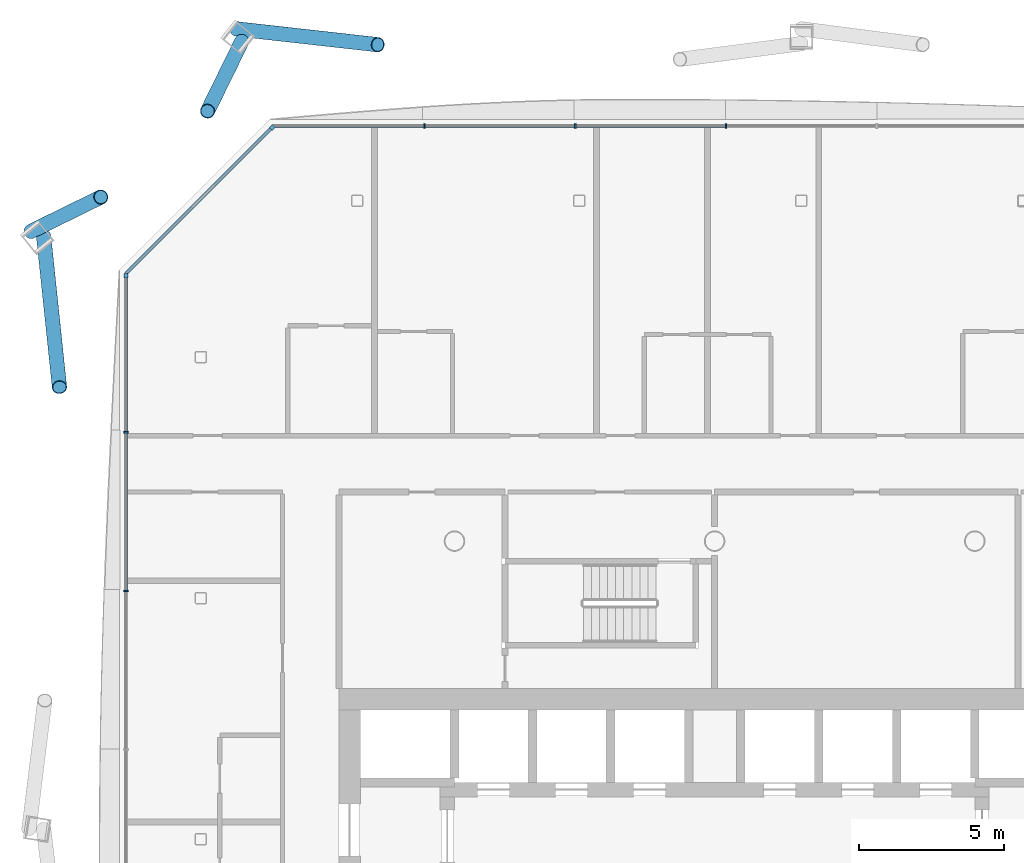
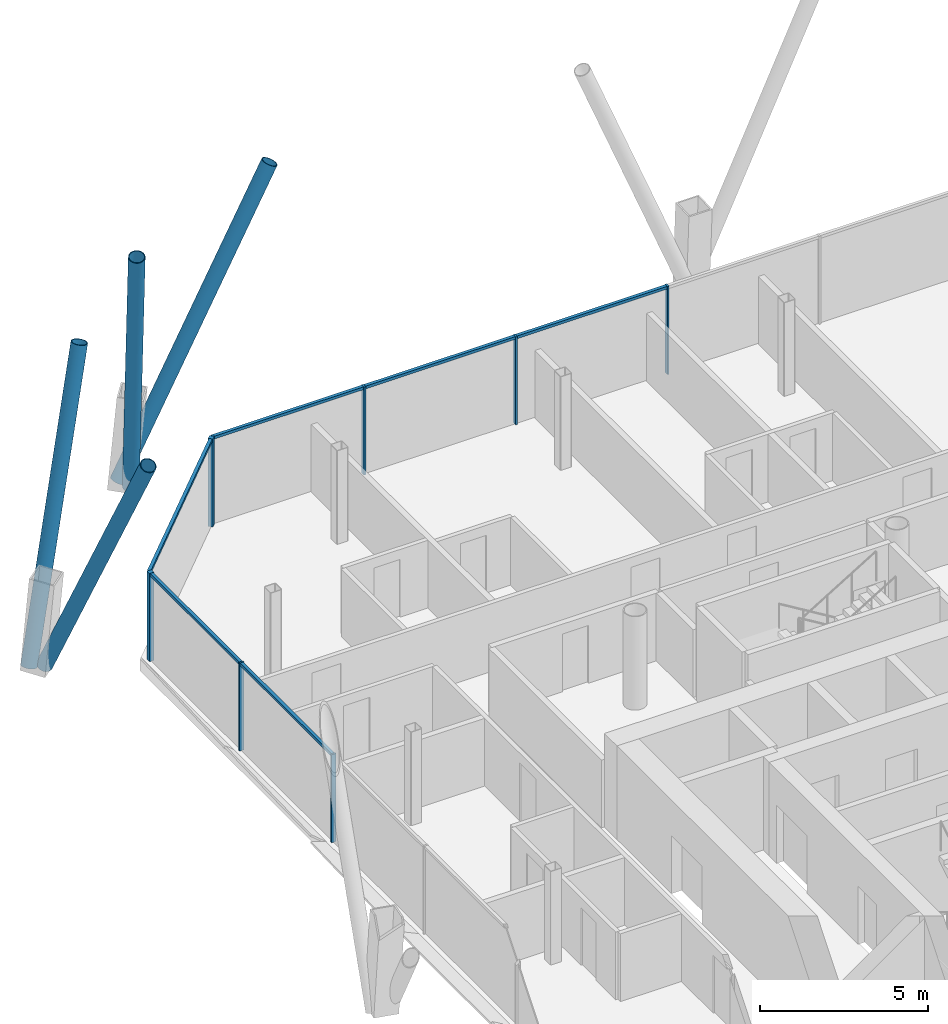
# One storey, part 9 of 22: 17 members, 3 elements without a shape of their own.
"""IFC4 building model written with IfcOpenShell, lengths in metres."""

from ifc_helpers import new_model, si_unit, direction, frame, origin, origin_2d, place, context, subcontext, project, spatial, rectangle, hollow_circle, extrude, material, material_profile, profile_set, type_object, element, aggregate, save


model = new_model("IFC4")

# Units and contexts
model_context = context("Model", 3, precision=1e-05, world=origin(), true_north=direction((0.0, 1.0)))
body_context = subcontext(model_context, "Body", "Model", "MODEL_VIEW")
ifc_project = project(units=[si_unit("LENGTHUNIT", "METRE"), si_unit("AREAUNIT", "SQUARE_METRE"), si_unit("VOLUMEUNIT", "CUBIC_METRE"), si_unit("PLANEANGLEUNIT", "RADIAN"), si_unit("MASSUNIT", "GRAM", prefix="KILO")], contexts=[model_context])

# Site, building, storey
site_placement = place(None, origin())
site = spatial("IfcSite", under=ifc_project, at=site_placement, CompositionType="ELEMENT")
building_placement = place(site_placement, origin())
building = spatial("IfcBuilding", under=site, at=building_placement, Name="Tskaro Facet Tower", CompositionType="ELEMENT")
storey_placement = place(building_placement, frame((0.0, 0.0, 121.5)))
storey = spatial("IfcBuildingStorey", under=building, at=storey_placement, Name="L28", CompositionType="ELEMENT", Elevation=121.5)

# Members
ifc_material_1 = material(Name="Steel S355J2H", Category="steel")
ifc_material_profile_1 = material_profile(ifc_material_1, hollow_circle(Radius=0.25390625, WallThickness=0.02490234375, at=origin_2d()), Name="CHS 508x25")
ifc_profile_set_1 = profile_set([ifc_material_profile_1], Name="Steel S355J2H")
member_type_1 = type_object("IfcMemberType", Name="CHS 508x25 brace", PredefinedType="BRACE", material=ifc_profile_set_1)
member_1_placement = place(storey_placement, frame((-16.5380859375, 26.720947265625, 0.0), z_axis=(0.431402212633, -0.048364830456, 0.900862350257), x_axis=(0.111412783806, 0.993774215607, 0.0)))
element("IfcMember", 1, at=member_1_placement, inside=storey, type_object=member_type_1, Name="CHS 508x25 XB08B/3", PredefinedType="BRACE", context=body_context, shape_type="SweptSolid", body=[
    extrude(hollow_circle(Radius=0.25390625, WallThickness=0.02490234375, at=origin_2d()), origin(), (0.0, 0.0, 1.0), 11.322509765625),
])
for number, where, z_axis, x_axis, name in (
    (2, (-16.3583984375, 26.287353515625, 0.0), (-0.11230334021, -0.228657192484, 0.967007677375), (0.897584602758, -0.440842240367, 0.0), "CHS 508x25 XB09A/3"),
    (3, (-23.646484375, 19.717529296875, 0.0), (0.228657192484, 0.11230334021, 0.967007677375), (-0.440842240367, 0.897584602758, 0.0), "CHS 508x25 XB09B/3"),
):
    element("IfcMember", number, at=place(storey_placement, frame(where, z_axis=z_axis, x_axis=x_axis)), inside=storey, type_object=member_type_1, Name=name, PredefinedType="BRACE", context=body_context, shape_type="SweptSolid", body=[
        extrude(hollow_circle(Radius=0.25390625, WallThickness=0.02490234375, at=origin_2d()), origin(), (0.0, 0.0, 1.0), 10.5478515625),
    ])
member_2_placement = place(storey_placement, frame((-23.212890625, 19.5380859375, 0.0), z_axis=(0.047749870563, -0.454613680727, 0.889407865469), x_axis=(0.994529159567, 0.104459325915, 0.0)))
element("IfcMember", 4, at=member_2_placement, inside=storey, type_object=member_type_1, Name="CHS 508x25 XB10A/3", PredefinedType="BRACE", context=body_context, shape_type="SweptSolid", body=[
    extrude(hollow_circle(Radius=0.25390625, WallThickness=0.02490234375, at=origin_2d()), origin(), (0.0, 0.0, 1.0), 11.46826171875),
])

# Curtain wall, member
ifc_material_2 = material(Name="Bronze anodised aluminium 6063-T6", Category="aluminium")
curtain_wall_type = type_object("IfcCurtainWallType", Name="Bronze hotel curtain wall (FW2)", PredefinedType="NOTDEFINED", material=ifc_material_2)
curtain_wall_1_placement = place(storey_placement, origin())
curtain_wall_1 = element("IfcCurtainWall", 5, at=curtain_wall_1_placement, inside=storey, type_object=curtain_wall_type, Name="FW2 north-west facet L28", PredefinedType="NOTDEFINED")
ifc_material_profile_2 = material_profile(ifc_material_2, rectangle(XDim=0.14990234375, YDim=0.14990234375, at=origin_2d()), Name="Corner post 150x150")
ifc_profile_set_2 = profile_set([ifc_material_profile_2], Name="Bronze anodised aluminium 6063-T6")
member_type_2 = type_object("IfcMemberType", Name="FW2 bronze corner post 150x150", PredefinedType="MULLION", material=ifc_profile_set_2)
member_3_placement = place(storey_placement, frame((-15.30615234375, 23.31396484375, 0.0), z_axis=(0.0, 0.0, 1.0), x_axis=(-0.707106781187, -0.707106781187, 0.0)))
member_3 = element("IfcMember", 6, at=member_3_placement, type_object=member_type_2, Name="FW2 north-west corner post", PredefinedType="MULLION", context=body_context, shape_type="SweptSolid", body=[
    extrude(rectangle(XDim=0.14990234375, YDim=0.14990234375, at=origin_2d()), origin(), (0.0, 0.0, 1.0), 3.199951171875),
])

curtain_wall_2_placement = place(storey_placement, origin())
curtain_wall_2 = element("IfcCurtainWall", 7, at=curtain_wall_2_placement, inside=storey, type_object=curtain_wall_type, Name="FW2 west facet L28", PredefinedType="NOTDEFINED")
member_4_placement = place(storey_placement, frame((-20.366943359375, 18.177978515625, 0.0), z_axis=(0.0, 0.0, 1.0), x_axis=(0.0, -1.0, 0.0)))
member_4 = element("IfcMember", 8, at=member_4_placement, type_object=member_type_2, Name="FW2 west corner post", PredefinedType="MULLION", context=body_context, shape_type="SweptSolid", body=[
    extrude(rectangle(XDim=0.14990234375, YDim=0.14990234375, at=origin_2d()), origin(), (0.0, 0.0, 1.0), 3.199951171875),
])

# Curtain wall, members
curtain_wall_3_placement = place(storey_placement, origin())
curtain_wall_3 = element("IfcCurtainWall", 9, at=curtain_wall_3_placement, inside=storey, type_object=curtain_wall_type, Name="FW2 north facet L28", PredefinedType="NOTDEFINED")
ifc_material_profile_3 = material_profile(ifc_material_2, rectangle(XDim=0.06005859375, YDim=0.14990234375, at=origin_2d()), Name="Mullion 60x150")
ifc_profile_set_3 = profile_set([ifc_material_profile_3], Name="Bronze anodised aluminium 6063-T6")
member_type_3 = type_object("IfcMemberType", Name="FW2 bronze mullion 60x150", PredefinedType="MULLION", material=ifc_profile_set_3)
member_5_placement = place(storey_placement, frame((0.392333984375, 23.366943359375, 0.0), z_axis=(0.0, 0.0, 1.0), x_axis=(-1.0, 0.0, 0.0)))
member_5 = element("IfcMember", 10, at=member_5_placement, type_object=member_type_3, Name="FW2 north mullion 4", PredefinedType="MULLION", context=body_context, shape_type="SweptSolid", body=[
    extrude(rectangle(XDim=0.06005859375, YDim=0.14990234375, at=origin_2d()), origin(), (0.0, 0.0, 1.0), 3.199951171875),
])
member_6_placement = place(storey_placement, frame((-4.82275390625, 23.366943359375, 0.0), z_axis=(0.0, 0.0, 1.0), x_axis=(-1.0, 0.0, 0.0)))
member_6 = element("IfcMember", 11, at=member_6_placement, type_object=member_type_3, Name="FW2 north mullion 5", PredefinedType="MULLION", context=body_context, shape_type="SweptSolid", body=[
    extrude(rectangle(XDim=0.06005859375, YDim=0.14990234375, at=origin_2d()), origin(), (0.0, 0.0, 1.0), 3.199951171875),
])
member_7_placement = place(storey_placement, frame((-10.037841796875, 23.366943359375, 0.0), z_axis=(0.0, 0.0, 1.0), x_axis=(-1.0, 0.0, 0.0)))
member_7 = element("IfcMember", 12, at=member_7_placement, type_object=member_type_3, Name="FW2 north mullion 6", PredefinedType="MULLION", context=body_context, shape_type="SweptSolid", body=[
    extrude(rectangle(XDim=0.06005859375, YDim=0.14990234375, at=origin_2d()), origin(), (0.0, 0.0, 1.0), 3.199951171875),
])

# Member
member_8_placement = place(storey_placement, frame((-20.366943359375, 12.7646484375, 0.0), z_axis=(0.0, 0.0, 1.0), x_axis=(0.0, -1.0, 0.0)))
member_8 = element("IfcMember", 13, at=member_8_placement, type_object=member_type_3, Name="FW2 west mullion 1", PredefinedType="MULLION", context=body_context, shape_type="SweptSolid", body=[
    extrude(rectangle(XDim=0.06005859375, YDim=0.14990234375, at=origin_2d()), origin(), (0.0, 0.0, 1.0), 3.199951171875),
])

member_9_placement = place(storey_placement, frame((-20.366943359375, 7.276123046875, 0.0), z_axis=(0.0, 0.0, 1.0), x_axis=(0.0, -1.0, 0.0)))
member_9 = element("IfcMember", 14, at=member_9_placement, type_object=member_type_3, Name="FW2 west mullion 2", PredefinedType="MULLION", context=body_context, shape_type="SweptSolid", body=[
    extrude(rectangle(XDim=0.06005859375, YDim=0.14990234375, at=origin_2d()), origin(), (0.0, 0.0, 1.0), 3.199951171875),
])

ifc_material_profile_4 = material_profile(ifc_material_2, rectangle(XDim=0.110107421875, YDim=0.10009765625, at=origin_2d()), Name="Transom 110x100")
ifc_profile_set_4 = profile_set([ifc_material_profile_4], Name="Bronze anodised aluminium 6063-T6")
member_type_4 = type_object("IfcMemberType", Name="FW2 bronze transom 110x100", PredefinedType="USERDEFINED", material=ifc_profile_set_4)
member_10_placement = place(storey_placement, frame((0.362548828125, 23.366943359375, 3.14990234375), z_axis=(-1.0, 0.0, 0.0), x_axis=(0.0, -1.0, 0.0)))
member_10 = element("IfcMember", 15, at=member_10_placement, type_object=member_type_4, Name="FW2 north transom 5.1", ObjectType="TRANSOM", PredefinedType="USERDEFINED", context=body_context, shape_type="SweptSolid", body=[
    extrude(rectangle(XDim=0.110107421875, YDim=0.10009765625, at=origin_2d()), origin(), (0.0, 0.0, 1.0), 5.1552734375),
])

member_11_placement = place(storey_placement, frame((-4.852783203125, 23.366943359375, 3.14990234375), z_axis=(-1.0, 0.0, 0.0), x_axis=(0.0, -1.0, 0.0)))
member_11 = element("IfcMember", 16, at=member_11_placement, type_object=member_type_4, Name="FW2 north transom 6.1", ObjectType="TRANSOM", PredefinedType="USERDEFINED", context=body_context, shape_type="SweptSolid", body=[
    extrude(rectangle(XDim=0.110107421875, YDim=0.10009765625, at=origin_2d()), origin(), (0.0, 0.0, 1.0), 5.155029296875),
])

member_12_placement = place(storey_placement, frame((-10.06787109375, 23.366943359375, 3.14990234375), z_axis=(-1.0, 0.0, 0.0), x_axis=(0.0, -1.0, 0.0)))
member_12 = element("IfcMember", 17, at=member_12_placement, type_object=member_type_4, Name="FW2 north transom 7.1", ObjectType="TRANSOM", PredefinedType="USERDEFINED", context=body_context, shape_type="SweptSolid", body=[
    extrude(rectangle(XDim=0.110107421875, YDim=0.10009765625, at=origin_2d()), origin(), (0.0, 0.0, 1.0), 5.18505859375),
])

aggregate(curtain_wall_3, [member_5, member_6, member_7, member_10, member_11, member_12])

member_13_placement = place(storey_placement, frame((-15.359130859375, 23.260986328125, 3.14990234375), z_axis=(-0.707089544979, -0.707124016974, 0.0), x_axis=(0.707124016974, -0.707089544979, 0.0)))
member_13 = element("IfcMember", 18, at=member_13_placement, type_object=member_type_4, Name="FW2 north-west transom 1.1", ObjectType="TRANSOM", PredefinedType="USERDEFINED", context=body_context, shape_type="SweptSolid", body=[
    extrude(rectangle(XDim=0.110107421875, YDim=0.10009765625, at=origin_2d()), origin(), (0.0, 0.0, 1.0), 7.082275390625),
])

aggregate(curtain_wall_1, [member_3, member_13])

member_14_placement = place(storey_placement, frame((-20.366943359375, 18.10302734375, 3.14990234375), z_axis=(0.0, -1.0, 0.0), x_axis=(1.0, 0.0, 0.0)))
member_14 = element("IfcMember", 19, at=member_14_placement, type_object=member_type_4, Name="FW2 west transom 1.1", ObjectType="TRANSOM", PredefinedType="USERDEFINED", context=body_context, shape_type="SweptSolid", body=[
    extrude(rectangle(XDim=0.110107421875, YDim=0.10009765625, at=origin_2d()), origin(), (0.0, 0.0, 1.0), 5.308349609375),
])

member_15_placement = place(storey_placement, frame((-20.366943359375, 12.734619140625, 3.14990234375), z_axis=(0.0, -1.0, 0.0), x_axis=(1.0, 0.0, 0.0)))
member_15 = element("IfcMember", 20, at=member_15_placement, type_object=member_type_4, Name="FW2 west transom 2.1", ObjectType="TRANSOM", PredefinedType="USERDEFINED", context=body_context, shape_type="SweptSolid", body=[
    extrude(rectangle(XDim=0.110107421875, YDim=0.10009765625, at=origin_2d()), origin(), (0.0, 0.0, 1.0), 5.428466796875),
])

aggregate(curtain_wall_2, [member_4, member_8, member_9, member_14, member_15])

save(model, "model.ifc")
